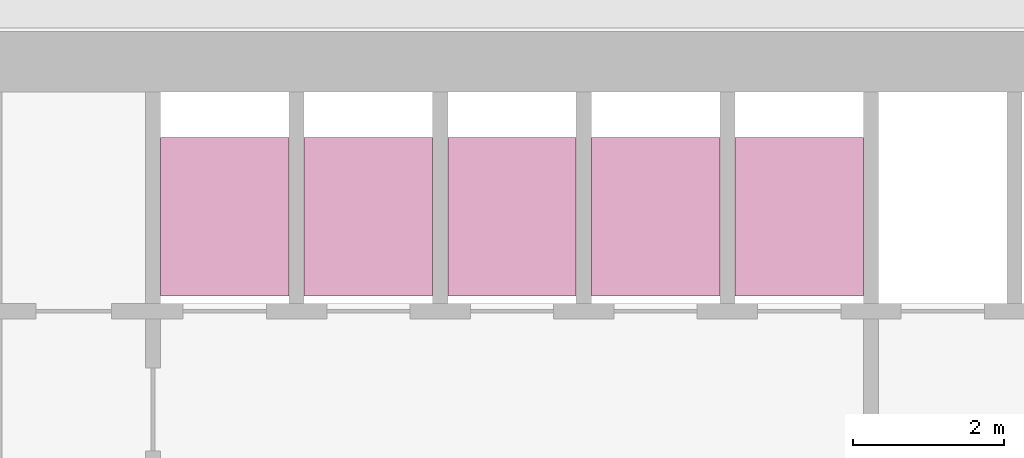
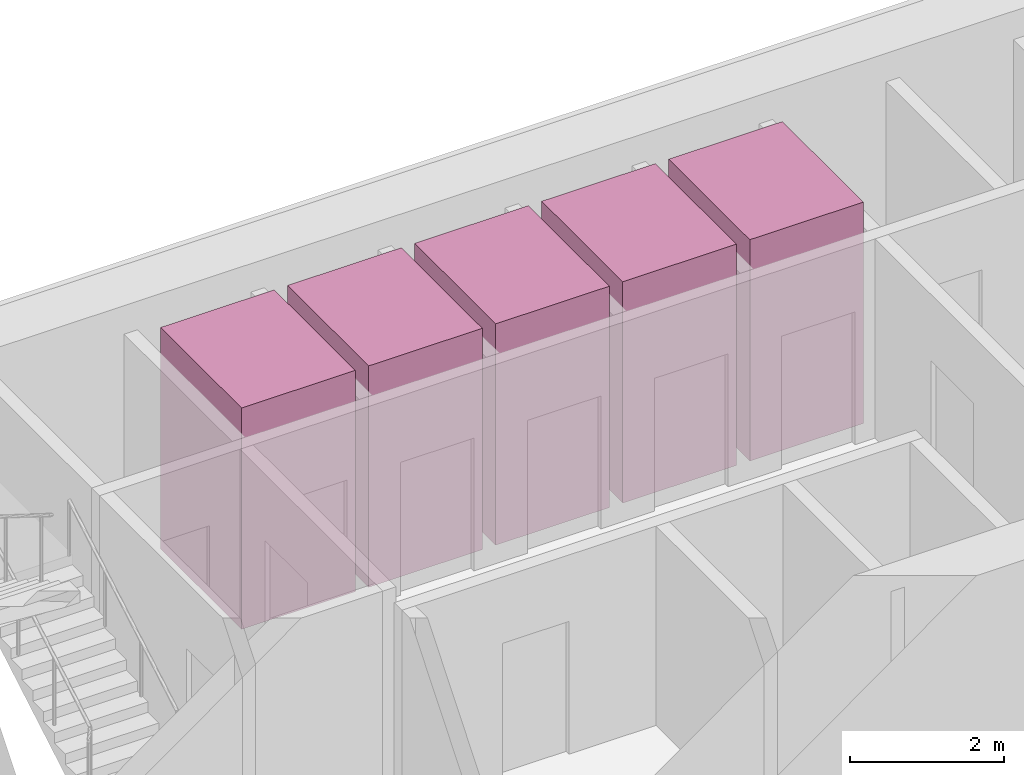
# One storey, part 13 of 13: 5 transport elements.
"""IFC4 building model written with IfcOpenShell, lengths in metres."""

from ifc_helpers import new_model, si_unit, direction, frame, origin, origin_2d, place, context, subcontext, project, spatial, rectangle, extrude, material, type_object, element, save


model = new_model("IFC4")

# Units and contexts
model_context = context("Model", 3, precision=1e-05, world=origin(), true_north=direction((0.0, 1.0)))
body_context = subcontext(model_context, "Body", "Model", "MODEL_VIEW")
ifc_project = project(units=[si_unit("LENGTHUNIT", "METRE"), si_unit("AREAUNIT", "SQUARE_METRE"), si_unit("VOLUMEUNIT", "CUBIC_METRE"), si_unit("PLANEANGLEUNIT", "RADIAN"), si_unit("MASSUNIT", "GRAM", prefix="KILO")], contexts=[model_context])

# Site, building, storey
site_placement = place(None, origin())
site = spatial("IfcSite", under=ifc_project, at=site_placement, CompositionType="ELEMENT")
building_placement = place(site_placement, origin())
building = spatial("IfcBuilding", under=site, at=building_placement, Name="Altiplano Prism Tower", CompositionType="ELEMENT")
storey_placement = place(building_placement, frame((0.0, 0.0, 160.199951171875)))
storey = spatial("IfcBuildingStorey", under=building, at=storey_placement, Name="L41", CompositionType="ELEMENT", Elevation=160.199951171875)

# Transport elements
ifc_material = material(Name="Stainless steel lift car", Category="steel")
transport_element_type = type_object("IfcTransportElementType", Name="Passenger lift car 1600 x 2100", PredefinedType="ELEVATOR", material=ifc_material)
for number, where, z_axis, x_axis, name in (
    (1, (79.050048828125, 101.75, 0.050048828125), (0.0, 0.0, 1.0), (1.0, 0.0, 0.0), "Mid Zone Passenger Lift 1"),
    (2, (80.949951171875, 101.75, 0.050048828125), (0.0, 0.0, 1.0), (1.0, 0.0, 0.0), "Mid Zone Passenger Lift 2"),
    (3, (82.85009765625, 101.75, 0.050048828125), (0.0, 0.0, 1.0), (1.0, 0.0, 0.0), "Mid Zone Passenger Lift 3"),
    (4, (84.75, 101.75, 0.050048828125), (0.0, 0.0, 1.0), (1.0, 0.0, 0.0), "Mid Zone Passenger Lift 4"),
    (5, (86.64990234375, 101.75, 0.050048828125), (0.0, 0.0, 1.0), (1.0, 0.0, 0.0), "Mid Zone Passenger Lift 5"),
):
    element("IfcTransportElement", number, at=place(storey_placement, frame(where, z_axis=z_axis, x_axis=x_axis)), inside=storey, type_object=transport_element_type, Name=name, PredefinedType="ELEVATOR", context=body_context, shape_type="SweptSolid", body=[
        extrude(rectangle(XDim=1.699951171875, YDim=2.10009765625, at=origin_2d()), origin(), (0.0, 0.0, 1.0), 3.5),
    ])

save(model, "model.ifc")
